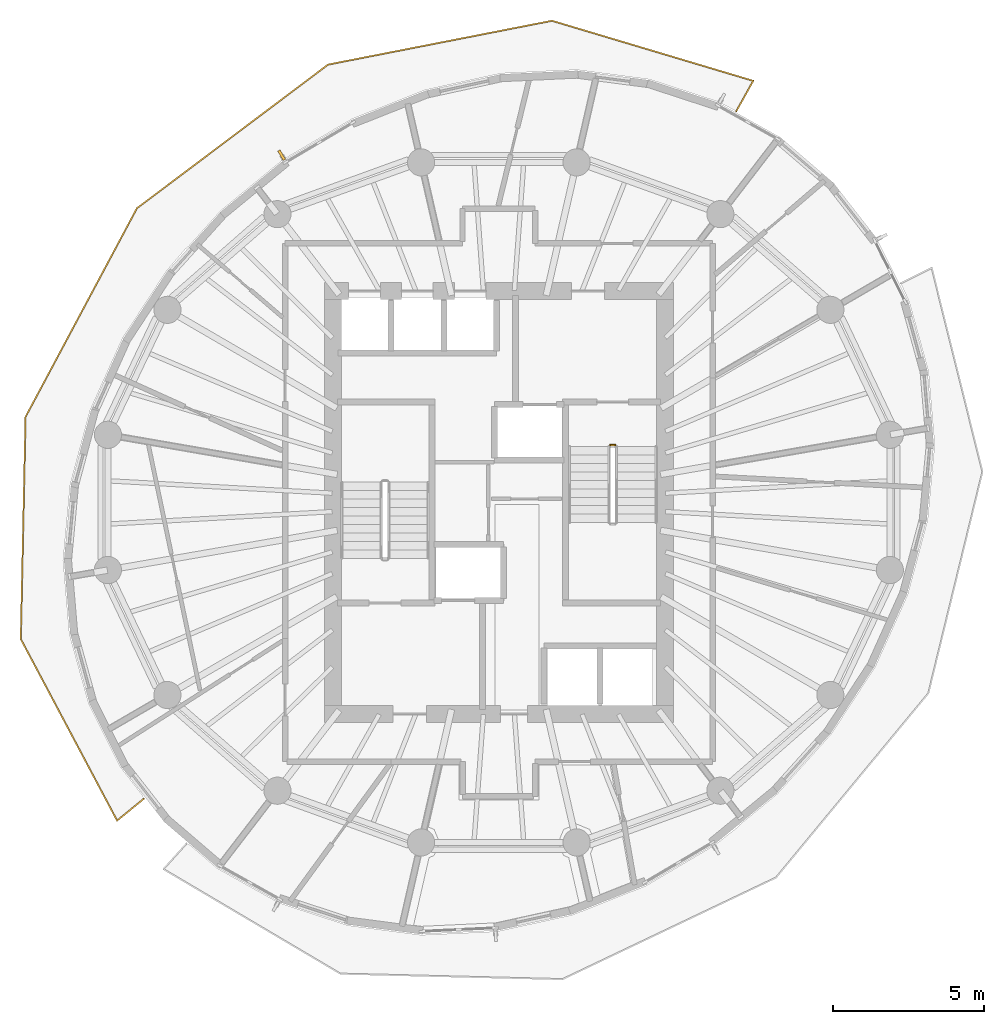
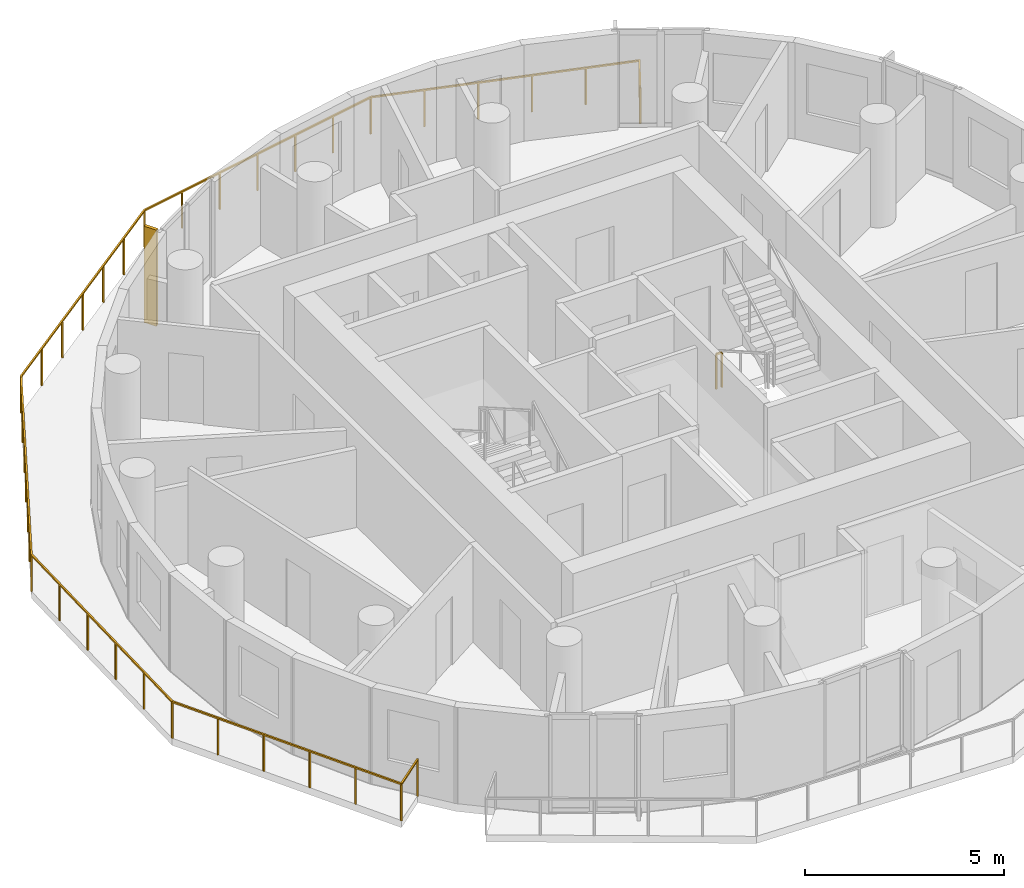
# One storey, part 9 of 10: 2 railings, 1 shading device.
"""IFC4 building model written with IfcOpenShell, lengths in metres."""

from ifc_helpers import new_model, si_unit, direction, frame, origin, origin_2d, place, context, subcontext, project, spatial, rectangle, extrude, material, layer, layer_set, type_object, element, save


model = new_model("IFC4")

# Units and contexts
model_context = context("Model", 3, precision=1e-05, world=origin(), true_north=direction((0.0, 1.0)))
body_context = subcontext(model_context, "Body", "Model", "MODEL_VIEW")
ifc_project = project(units=[si_unit("LENGTHUNIT", "METRE"), si_unit("AREAUNIT", "SQUARE_METRE"), si_unit("VOLUMEUNIT", "CUBIC_METRE"), si_unit("PLANEANGLEUNIT", "RADIAN"), si_unit("MASSUNIT", "GRAM", prefix="KILO")], contexts=[model_context])

# Site, building, storey
site_placement = place(None, origin())
site = spatial("IfcSite", under=ifc_project, at=site_placement, CompositionType="ELEMENT")
building_placement = place(site_placement, origin())
building = spatial("IfcBuilding", under=site, at=building_placement, Name="Veldorim Arch Residences", CompositionType="ELEMENT")
storey_placement = place(building_placement, frame((0.0, 0.0, 182.239990234375)))
storey = spatial("IfcBuildingStorey", under=building, at=storey_placement, Name="L54", CompositionType="ELEMENT", Elevation=182.239990234375)

# Railings
ifc_material_1 = material(Name="Aluminium", Category="aluminium")
railing_type_1 = type_object("IfcRailingType", Name="Balcony & Terrace Laminated Glass Balustrade 1150", PredefinedType="BALUSTRADE", material=ifc_material_1)
railing_1_placement = place(storey_placement, frame((39.86279296875, 36.956298828125, 0.0)))
element("IfcRailing", 1, at=railing_1_placement, inside=storey, type_object=railing_type_1, Name="L54 crescent balcony safety balustrade A", PredefinedType="BALUSTRADE", context=body_context, shape_type="SweptSolid", body=[
    extrude(rectangle(XDim=0.048095703125, YDim=0.048095703125, at=origin_2d()), frame((0.0, 0.0, 1.1259765625), z_axis=(0.486760012857, 0.873535740473, 0.0), x_axis=(-0.873535740473, 0.486760012857, 0.0)), (0.0, 0.0, 1.0), 1.150146484375),
    extrude(rectangle(XDim=0.048095703125, YDim=0.048095703125, at=origin_2d()), frame((0.559814453125, 1.004638671875, 1.1259765625), z_axis=(-0.958210829576, 0.286062940771, 0.0), x_axis=(-0.286062940771, -0.958210829576, 0.0)), (0.0, 0.0, 1.0), 6.95654296875),
    extrude(rectangle(XDim=0.048095703125, YDim=0.048095703125, at=origin_2d()), frame((-6.10595703125, 2.99462890625, 1.1259765625), z_axis=(-0.981368025405, -0.19213744745, 0.0), x_axis=(0.19213744745, -0.981368025405, 0.0)), (0.0, 0.0, 1.0), 7.555419921875),
    extrude(rectangle(XDim=0.048095703125, YDim=0.048095703125, at=origin_2d()), frame((-13.5205078125, 1.54296875, 1.1259765625), z_axis=(-0.799348408973, -0.600867806653, 0.0), x_axis=(0.600867806653, -0.799348408973, 0.0)), (0.0, 0.0, 1.0), 7.9189453125),
    extrude(rectangle(XDim=0.048095703125, YDim=0.048095703125, at=origin_2d()), frame((-19.8505859375, -3.21533203125, 1.1259765625), z_axis=(-0.470945780891, -0.882162157123, 0.0), x_axis=(0.882162157123, -0.470945780891, 0.0)), (0.0, 0.0, 1.0), 7.83154296875),
    extrude(rectangle(XDim=0.048095703125, YDim=0.048095703125, at=origin_2d()), frame((-23.538818359375, -10.1240234375, 1.1259765625), z_axis=(-0.02140446209, -0.999770898258, 0.0), x_axis=(0.999770898258, -0.02140446209, 0.0)), (0.0, 0.0, 1.0), 7.35693359375),
    extrude(rectangle(XDim=0.048095703125, YDim=0.048095703125, at=origin_2d()), frame((-23.6962890625, -17.479248046875, 1.1259765625), z_axis=(0.468597608375, -0.883411728146, 0.0), x_axis=(0.883411728146, 0.468597608375, 0.0)), (0.0, 0.0, 1.0), 6.80908203125),
    extrude(rectangle(XDim=0.048095703125, YDim=0.048095703125, at=origin_2d()), frame((-20.505615234375, -23.494384765625, 1.1259765625), z_axis=(0.774070797365, 0.63309904491, 0.0), x_axis=(-0.63309904491, 0.774070797365, 0.0)), (0.0, 0.0, 1.0), 1.14990234375),
    extrude(rectangle(XDim=0.0419921875, YDim=0.0419921875, at=origin_2d()), origin(), (0.0, 0.0, 1.0), 1.101806640625),
    extrude(rectangle(XDim=0.0419921875, YDim=0.0419921875, at=origin_2d()), frame((0.559814453125, 1.004638671875, 0.0)), (0.0, 0.0, 1.0), 1.101806640625),
    extrude(rectangle(XDim=0.0419921875, YDim=0.0419921875, at=origin_2d()), frame((-0.7734375, 1.402587890625, 0.0)), (0.0, 0.0, 1.0), 1.101806640625),
    extrude(rectangle(XDim=0.0419921875, YDim=0.0419921875, at=origin_2d()), frame((-2.1064453125, 1.800537109375, 0.0)), (0.0, 0.0, 1.0), 1.101806640625),
    extrude(rectangle(XDim=0.0419921875, YDim=0.0419921875, at=origin_2d()), frame((-3.439697265625, 2.19873046875, 0.0)), (0.0, 0.0, 1.0), 1.101806640625),
    extrude(rectangle(XDim=0.0419921875, YDim=0.0419921875, at=origin_2d()), frame((-4.772705078125, 2.5966796875, 0.0)), (0.0, 0.0, 1.0), 1.101806640625),
    extrude(rectangle(XDim=0.0419921875, YDim=0.0419921875, at=origin_2d()), frame((-6.10595703125, 2.99462890625, 0.0)), (0.0, 0.0, 1.0), 1.101806640625),
    extrude(rectangle(XDim=0.0419921875, YDim=0.0419921875, at=origin_2d()), frame((-7.341796875, 2.752685546875, 0.0)), (0.0, 0.0, 1.0), 1.101806640625),
    extrude(rectangle(XDim=0.0419921875, YDim=0.0419921875, at=origin_2d()), frame((-8.577392578125, 2.5107421875, 0.0)), (0.0, 0.0, 1.0), 1.101806640625),
    extrude(rectangle(XDim=0.0419921875, YDim=0.0419921875, at=origin_2d()), frame((-9.813232421875, 2.268798828125, 0.0)), (0.0, 0.0, 1.0), 1.101806640625),
    extrude(rectangle(XDim=0.0419921875, YDim=0.0419921875, at=origin_2d()), frame((-11.049072265625, 2.02685546875, 0.0)), (0.0, 0.0, 1.0), 1.101806640625),
    extrude(rectangle(XDim=0.0419921875, YDim=0.0419921875, at=origin_2d()), frame((-12.28466796875, 1.784912109375, 0.0)), (0.0, 0.0, 1.0), 1.101806640625),
    extrude(rectangle(XDim=0.0419921875, YDim=0.0419921875, at=origin_2d()), frame((-13.5205078125, 1.54296875, 0.0)), (0.0, 0.0, 1.0), 1.101806640625),
    extrude(rectangle(XDim=0.0419921875, YDim=0.0419921875, at=origin_2d()), frame((-14.575439453125, 0.75, 0.0)), (0.0, 0.0, 1.0), 1.101806640625),
    extrude(rectangle(XDim=0.0419921875, YDim=0.0419921875, at=origin_2d()), frame((-15.630615234375, -0.043212890625, 0.0)), (0.0, 0.0, 1.0), 1.101806640625),
    extrude(rectangle(XDim=0.0419921875, YDim=0.0419921875, at=origin_2d()), frame((-16.685546875, -0.836181640625, 0.0)), (0.0, 0.0, 1.0), 1.101806640625),
    extrude(rectangle(XDim=0.0419921875, YDim=0.0419921875, at=origin_2d()), frame((-17.740478515625, -1.629150390625, 0.0)), (0.0, 0.0, 1.0), 1.101806640625),
    extrude(rectangle(XDim=0.0419921875, YDim=0.0419921875, at=origin_2d()), frame((-18.795654296875, -2.42236328125, 0.0)), (0.0, 0.0, 1.0), 1.101806640625),
    extrude(rectangle(XDim=0.0419921875, YDim=0.0419921875, at=origin_2d()), frame((-19.8505859375, -3.21533203125, 0.0)), (0.0, 0.0, 1.0), 1.101806640625),
    extrude(rectangle(XDim=0.0419921875, YDim=0.0419921875, at=origin_2d()), frame((-20.46533203125, -4.36669921875, 0.0)), (0.0, 0.0, 1.0), 1.101806640625),
    extrude(rectangle(XDim=0.0419921875, YDim=0.0419921875, at=origin_2d()), frame((-21.080078125, -5.518310546875, 0.0)), (0.0, 0.0, 1.0), 1.101806640625),
    extrude(rectangle(XDim=0.0419921875, YDim=0.0419921875, at=origin_2d()), frame((-21.69482421875, -6.669677734375, 0.0)), (0.0, 0.0, 1.0), 1.101806640625),
    extrude(rectangle(XDim=0.0419921875, YDim=0.0419921875, at=origin_2d()), frame((-22.309326171875, -7.821044921875, 0.0)), (0.0, 0.0, 1.0), 1.101806640625),
    extrude(rectangle(XDim=0.0419921875, YDim=0.0419921875, at=origin_2d()), frame((-22.924072265625, -8.97265625, 0.0)), (0.0, 0.0, 1.0), 1.101806640625),
    extrude(rectangle(XDim=0.0419921875, YDim=0.0419921875, at=origin_2d()), frame((-23.538818359375, -10.1240234375, 0.0)), (0.0, 0.0, 1.0), 1.101806640625),
    extrude(rectangle(XDim=0.0419921875, YDim=0.0419921875, at=origin_2d()), frame((-23.5703125, -11.594970703125, 0.0)), (0.0, 0.0, 1.0), 1.101806640625),
    extrude(rectangle(XDim=0.0419921875, YDim=0.0419921875, at=origin_2d()), frame((-23.601806640625, -13.066162109375, 0.0)), (0.0, 0.0, 1.0), 1.101806640625),
    extrude(rectangle(XDim=0.0419921875, YDim=0.0419921875, at=origin_2d()), frame((-23.63330078125, -14.537109375, 0.0)), (0.0, 0.0, 1.0), 1.101806640625),
    extrude(rectangle(XDim=0.0419921875, YDim=0.0419921875, at=origin_2d()), frame((-23.664794921875, -16.00830078125, 0.0)), (0.0, 0.0, 1.0), 1.101806640625),
    extrude(rectangle(XDim=0.0419921875, YDim=0.0419921875, at=origin_2d()), frame((-23.6962890625, -17.479248046875, 0.0)), (0.0, 0.0, 1.0), 1.101806640625),
    extrude(rectangle(XDim=0.0419921875, YDim=0.0419921875, at=origin_2d()), frame((-23.05810546875, -18.682373046875, 0.0)), (0.0, 0.0, 1.0), 1.101806640625),
    extrude(rectangle(XDim=0.0419921875, YDim=0.0419921875, at=origin_2d()), frame((-22.419921875, -19.88525390625, 0.0)), (0.0, 0.0, 1.0), 1.101806640625),
    extrude(rectangle(XDim=0.0419921875, YDim=0.0419921875, at=origin_2d()), frame((-21.781982421875, -21.08837890625, 0.0)), (0.0, 0.0, 1.0), 1.101806640625),
    extrude(rectangle(XDim=0.0419921875, YDim=0.0419921875, at=origin_2d()), frame((-21.143798828125, -22.291259765625, 0.0)), (0.0, 0.0, 1.0), 1.101806640625),
    extrude(rectangle(XDim=0.0419921875, YDim=0.0419921875, at=origin_2d()), frame((-20.505615234375, -23.494384765625, 0.0)), (0.0, 0.0, 1.0), 1.101806640625),
    extrude(rectangle(XDim=0.0419921875, YDim=0.0419921875, at=origin_2d()), frame((-19.615478515625, -22.766357421875, 0.0)), (0.0, 0.0, 1.0), 1.101806640625),
])
ifc_material_2 = material(Name="Steel S355", Category="steel")
railing_type_2 = type_object("IfcRailingType", Name="Galvanised Steel Stair Safety Guardrail 1100", PredefinedType="GUARDRAIL", material=ifc_material_2)
railing_2_placement = place(storey_placement, frame((35.68994140625, 25.89990234375, 0.0)))
element("IfcRailing", 2, at=railing_2_placement, inside=storey, type_object=railing_type_2, Name="L54 ST-2 stair guard 4", PredefinedType="GUARDRAIL", context=body_context, shape_type="SweptSolid", body=[
    extrude(rectangle(XDim=0.048095703125, YDim=0.048095703125, at=origin_2d()), frame((0.0, 0.0, 1.076171875), z_axis=(1.0, 0.0, 0.0), x_axis=(0.0, 1.0, 0.0)), (0.0, 0.0, 1.0), 0.16015625),
    extrude(rectangle(XDim=0.0419921875, YDim=0.0419921875, at=origin_2d()), origin(), (0.0, 0.0, 1.0), 1.052001953125),
    extrude(rectangle(XDim=0.0419921875, YDim=0.0419921875, at=origin_2d()), frame((0.16015625, 0.0, 0.0)), (0.0, 0.0, 1.0), 1.052001953125),
])

# Shading device
ifc_material_3 = material(Name="Terracotta Ceramic", Category="masonry")
ifc_layer = layer(ifc_material_3, 0.090087890625, Name="Vertical Extruded Terracotta Baguette Sun-Shading Fin")
ifc_layer_set = layer_set([ifc_layer], Name="Terracotta Ceramic")
shading_device_type = type_object("IfcShadingDeviceType", Name="Vertical Extruded Terracotta Baguette Sun-Shading Fin", PredefinedType="USERDEFINED", material=ifc_layer_set)
shading_device_placement = place(storey_placement, frame((24.803955078125, 35.500244140625, 0.0), z_axis=(0.0, 0.0, 1.0), x_axis=(0.861097195167, 0.508440380454, 0.0)))
element("IfcShadingDevice", 3, at=shading_device_placement, inside=storey, type_object=shading_device_type, Name="L54 vertical terracotta sun-shading fin 08", ObjectType="FIN", PredefinedType="USERDEFINED", context=body_context, shape_type="SweptSolid", body=[
    extrude(rectangle(XDim=0.090087890625, YDim=0.360107421875, at=origin_2d()), origin(), (0.0, 0.0, 1.0), 2.9599609375),
])

save(model, "model.ifc")
